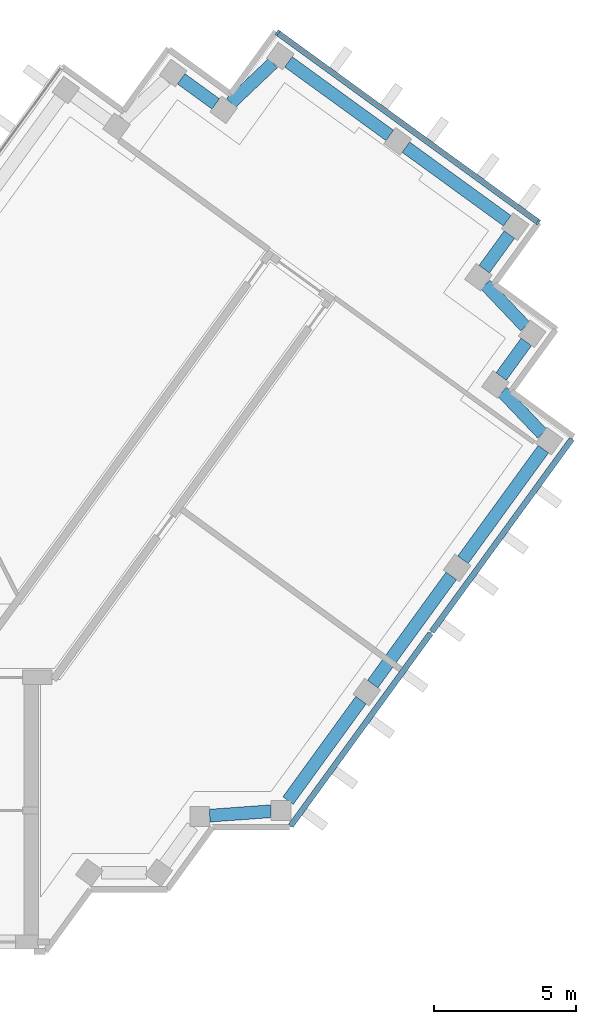
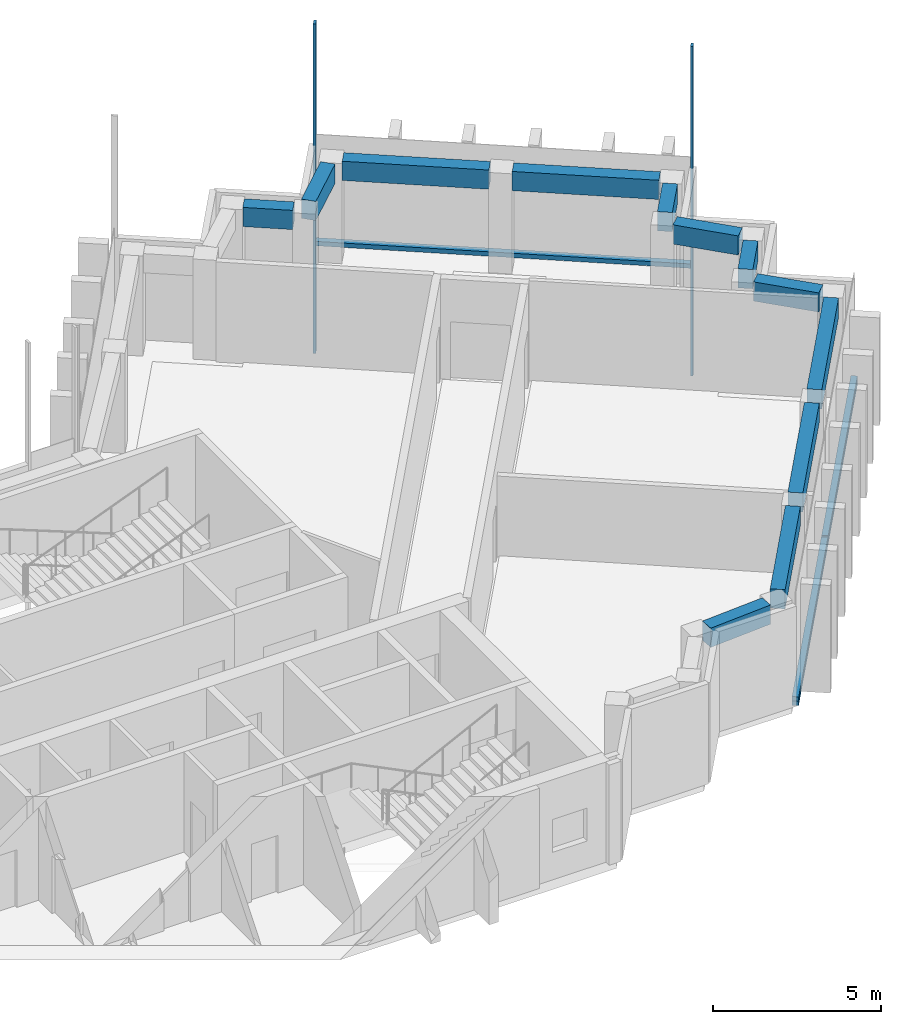
"""IFC4 building model written with IfcOpenShell, lengths in metres."""

from ifc_helpers import new_model, si_unit, direction, frame, origin, origin_2d, place, context, subcontext, project, spatial, rectangle, extrude, material, material_profile, profile_set, type_object, element, aggregate, save


model = new_model("IFC4")

# Units and contexts
model_context = context("Model", 3, precision=1e-05, world=origin(), true_north=direction((0.0, 1.0)))
body_context = subcontext(model_context, "Body", "Model", "MODEL_VIEW")
ifc_project = project(units=[si_unit("LENGTHUNIT", "METRE"), si_unit("AREAUNIT", "SQUARE_METRE"), si_unit("VOLUMEUNIT", "CUBIC_METRE"), si_unit("PLANEANGLEUNIT", "RADIAN"), si_unit("MASSUNIT", "GRAM", prefix="KILO")], contexts=[model_context])

# Site, building, storey
site_placement = place(None, origin())
site = spatial("IfcSite", under=ifc_project, at=site_placement, CompositionType="ELEMENT")
building_placement = place(site_placement, origin())
building = spatial("IfcBuilding", under=site, at=building_placement, Name="Quipu Civic Tower", CompositionType="ELEMENT")
storey_1_placement = place(building_placement, frame((0.0, 0.0, 335.0)))
storey_1 = spatial("IfcBuildingStorey", under=building, at=storey_1_placement, Name="L78", CompositionType="ELEMENT", Elevation=335.0)

# Curtain wall, members
ifc_material_1 = material(Name="Insulated glass unit", Category="glass")
curtain_wall_type = type_object("IfcCurtainWallType", Name="Office curtain wall CW1", PredefinedType="NOTDEFINED", material=ifc_material_1)
curtain_wall_1_placement = place(storey_1_placement, origin())
curtain_wall_1 = element("IfcCurtainWall", 1, at=curtain_wall_1_placement, inside=storey_1, type_object=curtain_wall_type, Name="Office curtain wall CW1 L77 run 21", PredefinedType="NOTDEFINED")
ifc_material_2 = material(Name="Anodised aluminium", Category="aluminium")
ifc_material_profile_1 = material_profile(ifc_material_2, rectangle(XDim=0.199951171875, YDim=0.080078125, at=origin_2d()), Name="RECT 200x80")
ifc_profile_set_1 = profile_set([ifc_material_profile_1], Name="Anodised aluminium")
member_type_1 = type_object("IfcMemberType", Name="Mullion CW1", PredefinedType="MULLION", material=ifc_profile_set_1)
member_1_placement = place(storey_1_placement, frame((37.569091796875, 14.552490234375, -3.919921875), z_axis=(0.0, 0.0, 1.0), x_axis=(-0.587787753918, -0.809015176832, 0.0)))
member_1 = element("IfcMember", 2, at=member_1_placement, type_object=member_type_1, Name="CW1 mullion 1", PredefinedType="MULLION", context=body_context, shape_type="SweptSolid", body=[
    extrude(rectangle(XDim=0.199951171875, YDim=0.080078125, at=origin_2d()), origin(), (0.0, 0.0, 1.0), 12.0),
])
member_2_placement = place(storey_1_placement, frame((28.4111328125, 21.206298828125, -3.919921875), z_axis=(0.0, 0.0, 1.0), x_axis=(-0.587787753918, -0.809015176832, 0.0)))
member_2 = element("IfcMember", 3, at=member_2_placement, type_object=member_type_1, Name="CW1 mullion 2", PredefinedType="MULLION", context=body_context, shape_type="SweptSolid", body=[
    extrude(rectangle(XDim=0.199951171875, YDim=0.080078125, at=origin_2d()), origin(), (0.0, 0.0, 1.0), 12.0),
])

# Beams
ifc_material_3 = material(Name="Concrete C50/60", Category="concrete")
ifc_material_profile_2 = material_profile(ifc_material_3, rectangle(XDim=0.449951171875, YDim=0.699951171875, at=origin_2d()), Name="RC450x700")
ifc_profile_set_2 = profile_set([ifc_material_profile_2], Name="Concrete C50/60")
beam_type = type_object("IfcBeamType", Name="Spandrel beam RC 450x700 C50/60", PredefinedType="SPANDREL", material=ifc_profile_set_2)
beam_1_placement = place(storey_1_placement, frame((26.0244140625, -6.3115234375, 3.300048828125), z_axis=(0.997379352029, 0.072349347934, 0.0), x_axis=(-0.072349347934, 0.997379352029, 0.0)))
element("IfcBeam", 4, at=beam_1_placement, inside=storey_1, type_object=beam_type, Name="Spandrel beam L78 J-Eo.3 to J-Eo.4", PredefinedType="SPANDREL", context=body_context, shape_type="SweptSolid", body=[
    extrude(rectangle(XDim=0.449951171875, YDim=0.699951171875, at=origin_2d()), origin(), (0.0, 0.0, 1.0), 2.15625),
])
beam_2_placement = place(storey_1_placement, frame((28.779296875, -5.780029296875, 3.300048828125), z_axis=(0.58777550284, 0.809024077677, 0.0), x_axis=(-0.809024077677, 0.58777550284, 0.0)))
element("IfcBeam", 5, at=beam_2_placement, inside=storey_1, type_object=beam_type, Name="Spandrel beam L78 J-Eo.4 to E-OUT-01", PredefinedType="SPANDREL", context=body_context, shape_type="SweptSolid", body=[
    extrude(rectangle(XDim=0.449951171875, YDim=0.699951171875, at=origin_2d()), origin(), (0.0, 0.0, 1.0), 4.36083984375),
])
beam_3_placement = place(storey_1_placement, frame((31.75390625, -1.685546875, 3.300048828125), z_axis=(0.587788656305, 0.809014521204, 0.0), x_axis=(-0.809014521204, 0.587788656305, 0.0)))
element("IfcBeam", 6, at=beam_3_placement, inside=storey_1, type_object=beam_type, Name="Spandrel beam L78 E-OUT-01 to E-OUT-02", PredefinedType="SPANDREL", context=body_context, shape_type="SweptSolid", body=[
    extrude(rectangle(XDim=0.449951171875, YDim=0.699951171875, at=origin_2d()), origin(), (0.0, 0.0, 1.0), 4.7001953125),
])
beam_4_placement = place(storey_1_placement, frame((34.927978515625, 2.68310546875, 3.300048828125), z_axis=(0.587905928359, 0.808929304328, 0.0), x_axis=(-0.808929304328, 0.587905928359, 0.0)))
element("IfcBeam", 7, at=beam_4_placement, inside=storey_1, type_object=beam_type, Name="Spandrel beam L78 E-OUT-02 to T-Eo.0-E22", PredefinedType="SPANDREL", context=body_context, shape_type="SweptSolid", body=[
    extrude(rectangle(XDim=0.449951171875, YDim=0.699951171875, at=origin_2d()), origin(), (0.0, 0.0, 1.0), 4.80712890625),
])
beam_5_placement = place(storey_1_placement, frame((37.71484375, 7.11279296875, 3.300048828125), z_axis=(-0.689175330605, 0.724594620244, 0.0), x_axis=(-0.724594620244, -0.689175330605, 0.0)))
element("IfcBeam", 8, at=beam_5_placement, inside=storey_1, type_object=beam_type, Name="Spandrel beam L78 T-Eo.0-E22 to T-Eo.1-E22", PredefinedType="SPANDREL", context=body_context, shape_type="SweptSolid", body=[
    extrude(rectangle(XDim=0.449951171875, YDim=0.699951171875, at=origin_2d()), origin(), (0.0, 0.0, 1.0), 2.033447265625),
])
beam_6_placement = place(storey_1_placement, frame((36.273681640625, 9.12744140625, 3.300048828125), z_axis=(0.587164895097, 0.809467347066, 0.0), x_axis=(-0.809467347066, 0.587164895097, 0.0)))
element("IfcBeam", 9, at=beam_6_placement, inside=storey_1, type_object=beam_type, Name="Spandrel beam L78 T-Eo.1-E22 to T-Eo.2-E22", PredefinedType="SPANDREL", context=body_context, shape_type="SweptSolid", body=[
    extrude(rectangle(XDim=0.449951171875, YDim=0.699951171875, at=origin_2d()), origin(), (0.0, 0.0, 1.0), 1.500244140625),
])
beam_7_placement = place(storey_1_placement, frame((37.114990234375, 10.88330078125, 3.300048828125), z_axis=(-0.688247466856, 0.725475998477, 0.0), x_axis=(-0.725475998477, -0.688247466856, 0.0)))
element("IfcBeam", 10, at=beam_7_placement, inside=storey_1, type_object=beam_type, Name="Spandrel beam L78 T-Eo.2-E22 to T-Eo.3-E22", PredefinedType="SPANDREL", context=body_context, shape_type="SweptSolid", body=[
    extrude(rectangle(XDim=0.449951171875, YDim=0.699951171875, at=origin_2d()), origin(), (0.0, 0.0, 1.0), 2.032958984375),
])
beam_8_placement = place(storey_1_placement, frame((35.6767578125, 12.8994140625, 3.300048828125), z_axis=(0.588345920092, 0.808609348394, 0.0), x_axis=(-0.808609348394, 0.588345920092, 0.0)))
element("IfcBeam", 11, at=beam_8_placement, inside=storey_1, type_object=beam_type, Name="Spandrel beam L78 T-Eo.3-E22 to T-Eo.4-E22", PredefinedType="SPANDREL", context=body_context, shape_type="SweptSolid", body=[
    extrude(rectangle(XDim=0.449951171875, YDim=0.699951171875, at=origin_2d()), origin(), (0.0, 0.0, 1.0), 1.499755859375),
])
beam_9_placement = place(storey_1_placement, frame((36.481689453125, 14.6005859375, 3.300048828125), z_axis=(-0.809117270763, 0.587647208921, 0.0), x_axis=(-0.587647208921, -0.809117270763, 0.0)))
element("IfcBeam", 12, at=beam_9_placement, inside=storey_1, type_object=beam_type, Name="Spandrel beam L78 T-Eo.4-E22 to TIP-E-01-E22", PredefinedType="SPANDREL", context=body_context, shape_type="SweptSolid", body=[
    extrude(rectangle(XDim=0.449951171875, YDim=0.699951171875, at=origin_2d()), origin(), (0.0, 0.0, 1.0), 4.40185546875),
])
beam_10_placement = place(storey_1_placement, frame((32.353759765625, 17.5986328125, 3.300048828125), z_axis=(-0.809146152767, 0.587607439931, 0.0), x_axis=(-0.587607439931, -0.809146152767, 0.0)))
element("IfcBeam", 13, at=beam_10_placement, inside=storey_1, type_object=beam_type, Name="Spandrel beam L78 TIP-E-01-E22 to T-Ei.0-E22", PredefinedType="SPANDREL", context=body_context, shape_type="SweptSolid", body=[
    extrude(rectangle(XDim=0.449951171875, YDim=0.699951171875, at=origin_2d()), origin(), (0.0, 0.0, 1.0), 4.400390625),
])
beam_11_placement = place(storey_1_placement, frame((28.251708984375, 20.14501953125, 3.300048828125), z_axis=(-0.725359138958, -0.688370626574, 0.0), x_axis=(0.688370626574, -0.725359138958, 0.0)))
element("IfcBeam", 14, at=beam_11_placement, inside=storey_1, type_object=beam_type, Name="Spandrel beam L78 T-Ei.0-E22 to T-Ei.1-E22", PredefinedType="SPANDREL", context=body_context, shape_type="SweptSolid", body=[
    extrude(rectangle(XDim=0.449951171875, YDim=0.699951171875, at=origin_2d()), origin(), (0.0, 0.0, 1.0), 2.032958984375),
])
beam_12_placement = place(storey_1_placement, frame((26.236083984375, 18.70654296875, 3.300048828125), z_axis=(-0.808644589435, 0.588297482553, 0.0), x_axis=(-0.588297482553, -0.808644589435, 0.0)))
element("IfcBeam", 15, at=beam_12_placement, inside=storey_1, type_object=beam_type, Name="Spandrel beam L78 T-Ei.1-E22 to T-Ei.2-E22", PredefinedType="SPANDREL", context=body_context, shape_type="SweptSolid", body=[
    extrude(rectangle(XDim=0.449951171875, YDim=0.699951171875, at=origin_2d()), origin(), (0.0, 0.0, 1.0), 1.500244140625),
])

# Storey
storey_2_placement = place(building_placement, frame((0.0, 0.0, 327.0)))
storey_2 = spatial("IfcBuildingStorey", under=building, at=storey_2_placement, Name="L76", CompositionType="ELEMENT", Elevation=327.0)

# Curtain wall, members
curtain_wall_2_placement = place(storey_2_placement, origin())
curtain_wall_2 = element("IfcCurtainWall", 16, at=curtain_wall_2_placement, inside=storey_2, type_object=curtain_wall_type, Name="Office curtain wall CW1 L75 run 4", PredefinedType="NOTDEFINED")
ifc_material_4 = material(Name="Anodised aluminium", Category="aluminium")
ifc_material_profile_3 = material_profile(ifc_material_4, rectangle(XDim=0.199951171875, YDim=0.159912109375, at=origin_2d()), Name="RECT 200x160")
ifc_profile_set_3 = profile_set([ifc_material_profile_3], Name="Anodised aluminium")
member_type_2 = type_object("IfcMemberType", Name="Transom CW1", PredefinedType="USERDEFINED", material=ifc_profile_set_3)
member_3_placement = place(storey_1_placement, frame((28.876708984375, -6.66650390625, 0.0), z_axis=(0.587812107925, 0.808997481935, 0.0), x_axis=(-0.808997481935, 0.587812107925, 0.0)))
member_3 = element("IfcMember", 17, at=member_3_placement, inside=storey_1, type_object=member_type_2, Name="CW1 transom 1.4", ObjectType="TRANSOM", PredefinedType="USERDEFINED", context=body_context, shape_type="SweptSolid", body=[
    extrude(rectangle(XDim=0.199951171875, YDim=0.159912109375, at=origin_2d()), origin(), (0.0, 0.0, 1.0), 8.35791015625),
])
member_4_placement = place(storey_1_placement, frame((33.83642578125, 0.15966796875, 0.0), z_axis=(0.587779098815, 0.809021465102, 0.0), x_axis=(-0.809021465102, 0.587779098815, 0.0)))
member_4 = element("IfcMember", 18, at=member_4_placement, inside=storey_1, type_object=member_type_2, Name="CW1 transom 2.4", ObjectType="TRANSOM", PredefinedType="USERDEFINED", context=body_context, shape_type="SweptSolid", body=[
    extrude(rectangle(XDim=0.199951171875, YDim=0.159912109375, at=origin_2d()), origin(), (0.0, 0.0, 1.0), 8.35791015625),
])
aggregate(curtain_wall_2, [member_3, member_4])

# Member
member_5_placement = place(storey_1_placement, frame((37.536865234375, 14.575927734375, 0.080078125), z_axis=(-0.809022463805, 0.587777724194, 0.0), x_axis=(-0.587777724194, -0.809022463805, 0.0)))
member_5 = element("IfcMember", 19, at=member_5_placement, type_object=member_type_2, Name="CW1 transom 1.2", ObjectType="TRANSOM", PredefinedType="USERDEFINED", context=body_context, shape_type="SweptSolid", body=[
    extrude(rectangle(XDim=0.199951171875, YDim=0.159912109375, at=origin_2d()), origin(), (0.0, 0.0, 1.0), 11.240234375),
])

aggregate(curtain_wall_1, [member_1, member_2, member_5])

# Storey
storey_3_placement = place(building_placement, frame((0.0, 0.0, 339.0)))
storey_3 = spatial("IfcBuildingStorey", under=building, at=storey_3_placement, Name="L79", CompositionType="ELEMENT", Elevation=339.0)

# Curtain wall, members
curtain_wall_3_placement = place(storey_3_placement, origin())
curtain_wall_3 = element("IfcCurtainWall", 20, at=curtain_wall_3_placement, inside=storey_3, type_object=curtain_wall_type, Name="Office curtain wall CW1 L78 run 4", PredefinedType="NOTDEFINED")
member_6_placement = place(storey_1_placement, frame((28.876708984375, -6.66650390625, 0.159912109375), z_axis=(0.587812107925, 0.808997481935, 0.0), x_axis=(-0.808997481935, 0.587812107925, 0.0)))
member_6 = element("IfcMember", 21, at=member_6_placement, inside=storey_1, type_object=member_type_2, Name="CW1 transom 1.1", ObjectType="TRANSOM", PredefinedType="USERDEFINED", context=body_context, shape_type="SweptSolid", body=[
    extrude(rectangle(XDim=0.199951171875, YDim=0.159912109375, at=origin_2d()), origin(), (0.0, 0.0, 1.0), 8.35791015625),
])
member_7_placement = place(storey_1_placement, frame((33.83642578125, 0.15966796875, 0.159912109375), z_axis=(0.587779098815, 0.809021465102, 0.0), x_axis=(-0.809021465102, 0.587779098815, 0.0)))
member_7 = element("IfcMember", 22, at=member_7_placement, inside=storey_1, type_object=member_type_2, Name="CW1 transom 2.1", ObjectType="TRANSOM", PredefinedType="USERDEFINED", context=body_context, shape_type="SweptSolid", body=[
    extrude(rectangle(XDim=0.199951171875, YDim=0.159912109375, at=origin_2d()), origin(), (0.0, 0.0, 1.0), 8.35791015625),
])
aggregate(curtain_wall_3, [member_6, member_7])

save(model, "model.ifc")
